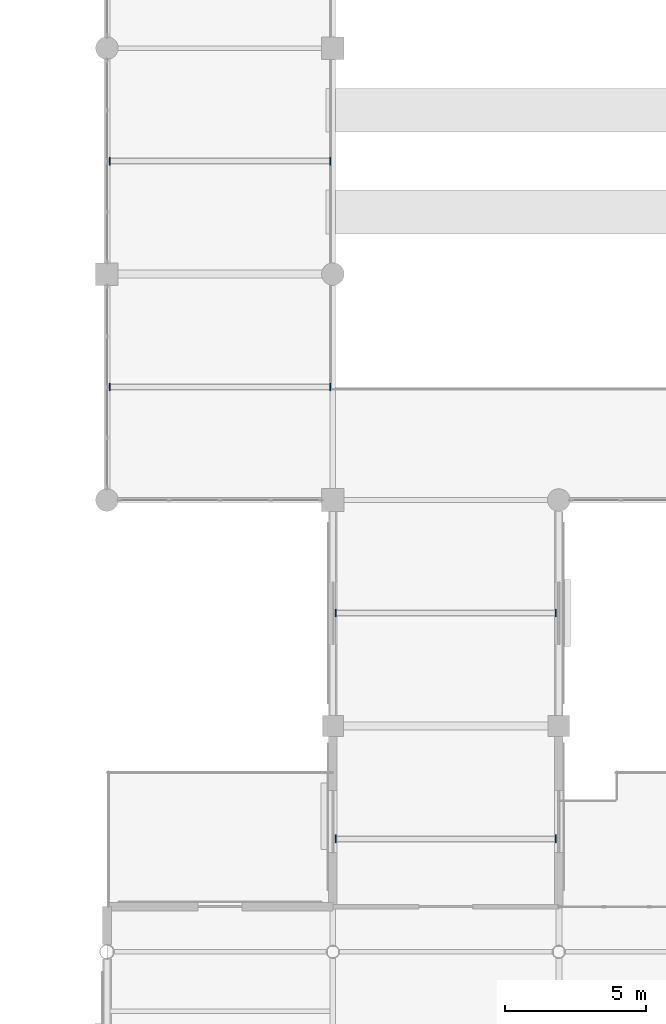
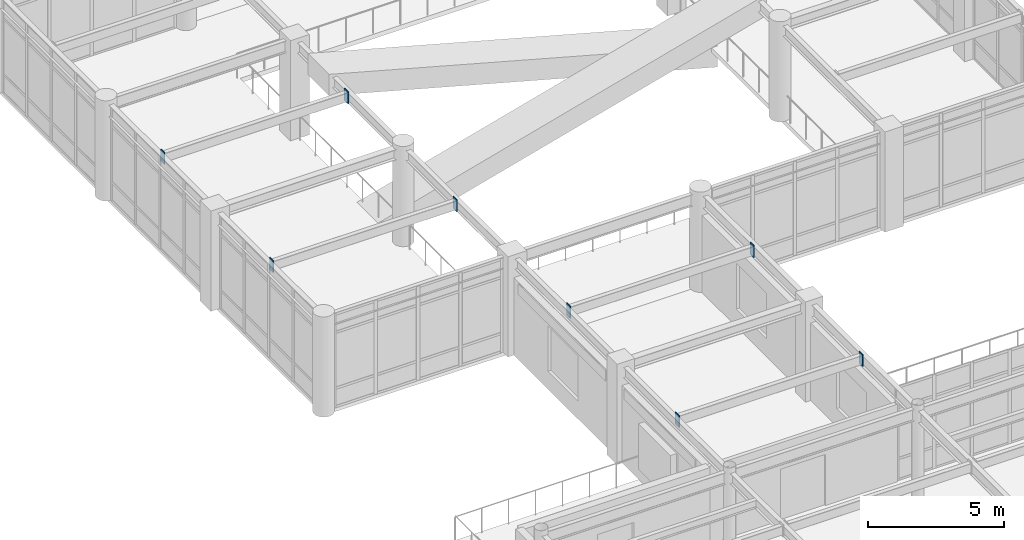
# One storey, part 67 of 93: 8 discrete accessories.
"""IFC4 building model written with IfcOpenShell, lengths in metres."""

from ifc_helpers import new_model, si_unit, direction, frame, origin, origin_2d, place, context, subcontext, project, spatial, rectangle, extrude, material, layer, layer_set, type_object, element, save


model = new_model("IFC4")

# Units and contexts
model_context = context("Model", 3, precision=1e-05, world=origin(), true_north=direction((0.0, 1.0)))
body_context = subcontext(model_context, "Body", "Model", "MODEL_VIEW")
ifc_project = project(units=[si_unit("LENGTHUNIT", "METRE"), si_unit("AREAUNIT", "SQUARE_METRE"), si_unit("VOLUMEUNIT", "CUBIC_METRE"), si_unit("PLANEANGLEUNIT", "RADIAN"), si_unit("MASSUNIT", "GRAM", prefix="KILO")], contexts=[model_context])

# Site, building, storey
site_placement = place(None, origin())
site = spatial("IfcSite", under=ifc_project, at=site_placement, CompositionType="ELEMENT")
building_placement = place(site_placement, origin())
building = spatial("IfcBuilding", under=site, at=building_placement, Name="Solmirada Galleria", CompositionType="ELEMENT")
storey_placement = place(building_placement, frame((0.0, 0.0, 14.89990234375)))
storey = spatial("IfcBuildingStorey", under=building, at=storey_placement, Name="L03", CompositionType="ELEMENT", Elevation=14.89990234375)

# Discrete accessories
ifc_material = material(Name="Steel S355 / ASTM A572 Grade 50", Category="steel")
ifc_layer = layer(ifc_material, 0.031982421875)
ifc_layer_set = layer_set([ifc_layer], Name="Steel S355 / ASTM A572 Grade 50")
discrete_accessory_type = type_object("IfcDiscreteAccessoryType", Name="ACC-COL-CAP", PredefinedType="BRACKET", material=ifc_layer_set)
for number, where, z_axis, x_axis, name in (
    (1, (80.10498046875, 52.0, 3.8271484375), (0.0, 0.0, 1.0), (1.0, 0.0, 0.0), "Hollow joist end plate L04-11-07-L"),
    (2, (87.903076171875, 52.0, 3.8271484375), (0.0, 0.0, 1.0), (1.0, 0.0, 0.0), "Hollow joist end plate L04-11-07-R"),
    (3, (80.10498046875, 60.0, 3.8271484375), (0.0, 0.0, 1.0), (1.0, 0.0, 0.0), "Hollow joist end plate L04-11-08-L"),
    (4, (87.903076171875, 60.0, 3.8271484375), (0.0, 0.0, 1.0), (1.0, 0.0, 0.0), "Hollow joist end plate L04-11-08-R"),
    (5, (88.096923828125, 36.0, 3.787109375), (0.0, 0.0, 1.0), (1.0, 0.0, 0.0), "Hollow joist end plate L04-12-05-L"),
    (6, (95.89501953125, 36.0, 3.787109375), (0.0, 0.0, 1.0), (1.0, 0.0, 0.0), "Hollow joist end plate L04-12-05-R"),
    (7, (88.096923828125, 44.0, 3.8271484375), (0.0, 0.0, 1.0), (1.0, 0.0, 0.0), "Hollow joist end plate L04-12-06-L"),
    (8, (95.89501953125, 44.0, 3.8271484375), (0.0, 0.0, 1.0), (1.0, 0.0, 0.0), "Hollow joist end plate L04-12-06-R"),
):
    element("IfcDiscreteAccessory", number, at=place(storey_placement, frame(where, z_axis=z_axis, x_axis=x_axis)), inside=storey, type_object=discrete_accessory_type, Name=name, PredefinedType="BRACKET", context=body_context, shape_type="SweptSolid", body=[
        extrude(rectangle(XDim=0.035888671875, YDim=0.280029296875, at=origin_2d()), origin(), (0.0, 0.0, 1.0), 0.5400390625),
    ])

save(model, "model.ifc")
